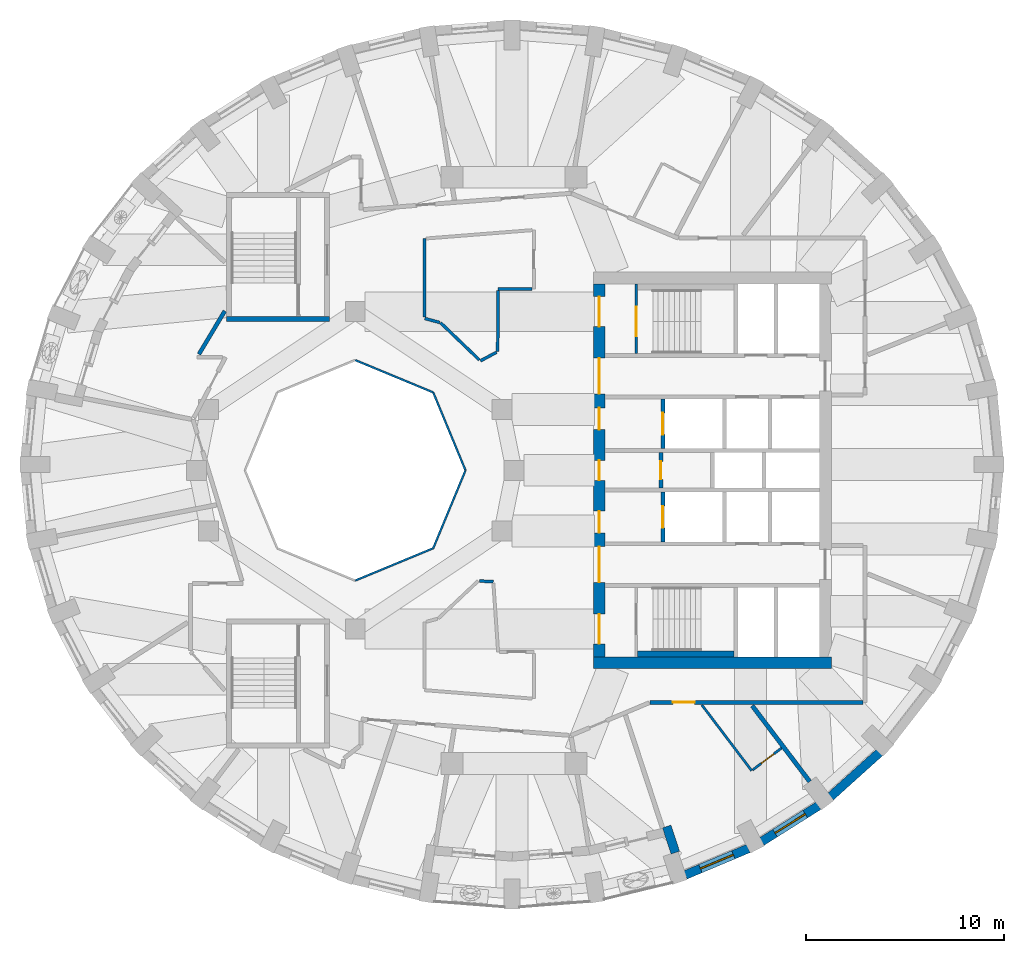
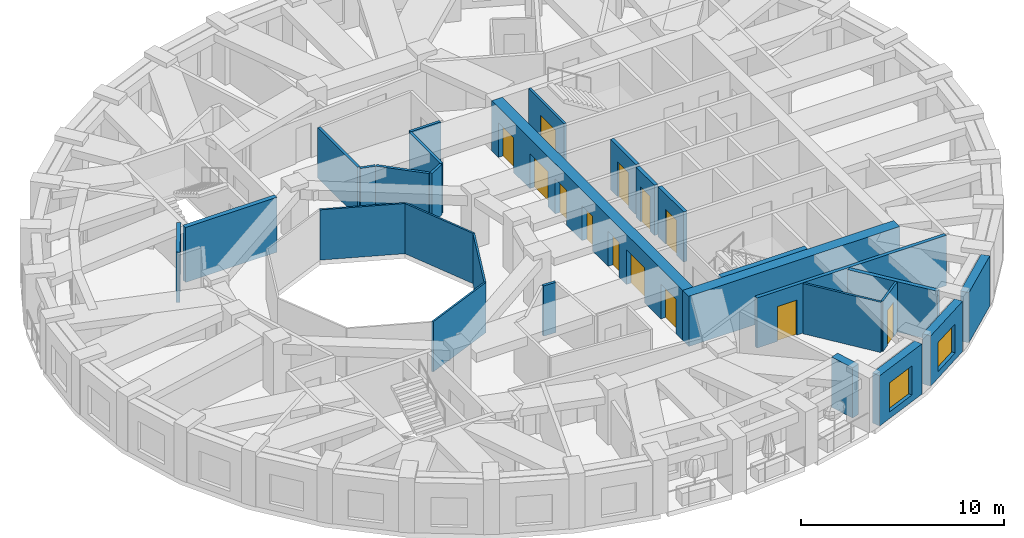
# One storey, part 5 of 12: 28 walls, 13 doors, 2 windows, 15 openings.
"""IFC4 building model written with IfcOpenShell, lengths in metres."""

from ifc_helpers import new_model, si_unit, direction, frame, frame_2d, origin, place, context, subcontext, project, spatial, rectangle, extrude, material, layer, layer_set, type_object, element, fill, save


model = new_model("IFC4")

# Units and contexts
model_context = context("Model", 3, precision=1e-05, world=origin(), true_north=direction((0.0, 1.0)))
body_context = subcontext(model_context, "Body", "Model", "MODEL_VIEW")
ifc_project = project(units=[si_unit("LENGTHUNIT", "METRE"), si_unit("AREAUNIT", "SQUARE_METRE"), si_unit("VOLUMEUNIT", "CUBIC_METRE"), si_unit("PLANEANGLEUNIT", "RADIAN"), si_unit("MASSUNIT", "GRAM", prefix="KILO")], contexts=[model_context])

# Site, building, storey
site_placement = place(None, origin())
site = spatial("IfcSite", under=ifc_project, at=site_placement, CompositionType="ELEMENT")
building_placement = place(site_placement, origin())
building = spatial("IfcBuilding", under=site, at=building_placement, Name="Taillehof Tower", CompositionType="ELEMENT")
storey_placement = place(building_placement, frame((0.0, 0.0, 249.800048828125)))
storey = spatial("IfcBuildingStorey", under=building, at=storey_placement, Name="L71", CompositionType="ELEMENT", Elevation=249.800048828125)

# Walls
ifc_material_1 = material(Name="Fire-resisting glass in steel frame", Category="steel")
ifc_layer_1 = layer(ifc_material_1, 0.10009765625)
ifc_layer_set_1 = layer_set([ifc_layer_1], Name="Atrium fire-resisting screen EI 60 100")
wall_type_1 = type_object("IfcWallType", Name="Atrium fire-resisting screen EI 60 100", PredefinedType="PARTITIONING", material=ifc_layer_set_1)
for number, where, z_axis, x_axis, name in (
    (1, (-2.44580078125, 0.0, 0.0), (0.0, 0.0, 1.0), (-0.382730523909, -0.923860025149, 0.0), "Atrium screen"),
    (2, (-4.07275390625, -3.92724609375, 0.0), (0.0, 0.0, 1.0), (-0.923860025149, -0.382730523909, 0.0), "Atrium screen"),
    (3, (-8.0, 5.55419921875, 0.0), (0.0, 0.0, 1.0), (0.923860025149, -0.382730523909, 0.0), "Atrium screen"),
    (4, (-4.07275390625, 3.92724609375, 0.0), (0.0, 0.0, 1.0), (0.382730523909, -0.923860025149, 0.0), "Atrium screen"),
):
    element("IfcWall", number, at=place(storey_placement, frame(where, z_axis=z_axis, x_axis=x_axis)), inside=storey, type_object=wall_type_1, Name=name, PredefinedType="PARTITIONING", context=body_context, shape_type="SweptSolid", body=[
        extrude(rectangle(XDim=4.2509765625, YDim=0.10009765625, at=frame_2d((2.12548828125, 0.0))), origin(), (0.0, 0.0, 1.0), 3.02001953125),
    ])

# Wall, opening, window
ifc_material_2 = material(Name="Brick masonry", Category="masonry")
ifc_layer_2 = layer(ifc_material_2, 0.449951171875)
ifc_layer_set_2 = layer_set([ifc_layer_2], Name="Brick infill wall 450")
wall_type_2 = type_object("IfcWallType", Name="Brick infill wall 450", PredefinedType="SOLIDWALL", material=ifc_layer_set_2)
wall_1_placement = place(storey_placement, frame((8.640869140625, -20.394775390625, 0.0), z_axis=(0.0, 0.0, 1.0), x_axis=(0.922049934692, 0.3870709469, 0.0)))
wall_1 = element("IfcWall", 5, at=wall_1_placement, inside=storey, type_object=wall_type_2, Name="Brick wall L71 bay 30", PredefinedType="SOLIDWALL", context=body_context, shape_type="SweptSolid", body=[
    extrude(rectangle(XDim=3.443115234375, YDim=0.449951171875, at=frame_2d((1.7216796875, 0.0))), origin(), (0.0, 0.0, 1.0), 3.02001953125),
])
opening_1_placement = place(wall_1_placement, frame((0.82177734375, 0.0, 0.39990234375)))
opening_1 = element("IfcOpeningElement", 6, at=opening_1_placement, cuts=wall_1, Name="Opening W4", PredefinedType="OPENING", context=body_context, shape_type="SweptSolid", body=[
    extrude(rectangle(XDim=1.800048828125, YDim=1.75, at=frame_2d((0.89990234375, 0.875))), frame((0.0, 0.23486328125, 0.0), z_axis=(0.0, -1.0, 0.0), x_axis=(1.0, 0.0, 0.0)), (0.0, 0.0, 1.0), 0.469970703125),
])
ifc_material_3 = material(Name="Aluminium window frame with clear double glazing", Category="aluminium")
window_type = type_object("IfcWindowType", Name="Deep-set window 1800x1750", PartitioningType="SINGLE_PANEL", PredefinedType="WINDOW", material=ifc_material_3)
window_1_placement = place(opening_1_placement, origin())
window_1 = element("IfcWindow", 7, at=window_1_placement, inside=storey, type_object=window_type, Name="W4", OverallHeight=1.75, OverallWidth=1.800048828125, PartitioningType="SINGLE_PANEL", PredefinedType="WINDOW", context=body_context, shape_type="SweptSolid", body=[
    extrude(rectangle(XDim=1.800048828125, YDim=1.75, at=frame_2d((0.89990234375, 0.875))), frame((0.0, 0.034912109375, 0.0), z_axis=(0.0, -1.0, 0.0), x_axis=(1.0, 0.0, 0.0)), (0.0, 0.0, 1.0), 0.06005859375),
])
fill(opening_1, window_1)

wall_2_placement = place(storey_placement, frame((12.489990234375, -18.7109375, 0.0), z_axis=(0.0, 0.0, 1.0), x_axis=(0.845929139811, 0.53329531258, 0.0)))
wall_2 = element("IfcWall", 8, at=wall_2_placement, inside=storey, type_object=wall_type_2, Name="Brick wall L71 bay 31", PredefinedType="SOLIDWALL", context=body_context, shape_type="SweptSolid", body=[
    extrude(rectangle(XDim=3.384521484375, YDim=0.449951171875, at=frame_2d((1.6923828125, 0.0))), origin(), (0.0, 0.0, 1.0), 3.02001953125),
])
opening_2_placement = place(wall_2_placement, frame((0.792236328125, 0.0, 0.39990234375)))
opening_2 = element("IfcOpeningElement", 9, at=opening_2_placement, cuts=wall_2, Name="Opening W4", PredefinedType="OPENING", context=body_context, shape_type="SweptSolid", body=[
    extrude(rectangle(XDim=1.800048828125, YDim=1.75, at=frame_2d((0.89990234375, 0.875))), frame((0.0, 0.23486328125, 0.0), z_axis=(0.0, -1.0, 0.0), x_axis=(1.0, 0.0, 0.0)), (0.0, 0.0, 1.0), 0.469970703125),
])
window_2_placement = place(opening_2_placement, origin())
window_2 = element("IfcWindow", 10, at=window_2_placement, inside=storey, type_object=window_type, Name="W4", OverallHeight=1.75, OverallWidth=1.800048828125, PartitioningType="SINGLE_PANEL", PredefinedType="WINDOW", context=body_context, shape_type="SweptSolid", body=[
    extrude(rectangle(XDim=1.800048828125, YDim=1.75, at=frame_2d((0.89990234375, 0.875))), frame((0.0, 0.034912109375, 0.0), z_axis=(0.0, -1.0, 0.0), x_axis=(1.0, 0.0, 0.0)), (0.0, 0.0, 1.0), 0.06005859375),
])
fill(opening_2, window_2)

# Walls
wall_3_placement = place(storey_placement, frame((15.959228515625, -16.447509765625, 0.0), z_axis=(0.0, 0.0, 1.0), x_axis=(0.743166014219, 0.669107073128, 0.0)))
element("IfcWall", 11, at=wall_3_placement, inside=storey, type_object=wall_type_2, Name="Brick wall L71 bay 32", PredefinedType="SOLIDWALL", context=body_context, shape_type="SweptSolid", body=[
    extrude(rectangle(XDim=3.31640625, YDim=0.449951171875, at=frame_2d((1.658203125, 0.0))), origin(), (0.0, 0.0, 1.0), 3.02001953125),
])
wall_4_placement = place(storey_placement, frame((8.1337890625, -19.273193359375, 0.0), z_axis=(0.0, 0.0, 1.0), x_axis=(-0.312379684595, 0.949957332017, 0.0)))
element("IfcWall", 12, at=wall_4_placement, inside=storey, type_object=wall_type_2, Name="Brick reveal L71 pocket 8", PredefinedType="SOLIDWALL", context=body_context, shape_type="SweptSolid", body=[
    extrude(rectangle(XDim=1.390380859375, YDim=0.449951171875, at=frame_2d((0.6953125, 0.0))), origin(), (0.0, 0.0, 1.0), 3.02001953125),
])

# Wall, opening, door
ifc_material_4 = material(Name="Calcium silicate masonry", Category="masonry")
ifc_layer_3 = layer(ifc_material_4, 0.199951171875)
ifc_layer_set_3 = layer_set([ifc_layer_3], Name="Compartment wall calcium silicate 200")
wall_type_3 = type_object("IfcWallType", Name="Compartment wall calcium silicate 200", PredefinedType="PARTITIONING", material=ifc_layer_set_3)
wall_5_placement = place(storey_placement, frame((7.39990234375, -0.89990234375, 0.0), z_axis=(0.0, 0.0, 1.0), x_axis=(0.0, 1.0, 0.0)))
wall_5 = element("IfcWall", 13, at=wall_5_placement, inside=storey, type_object=wall_type_3, Name="Compartment wall FW", PredefinedType="PARTITIONING", context=body_context, shape_type="SweptSolid", body=[
    extrude(rectangle(XDim=1.7998046875, YDim=0.199951171875, at=frame_2d((0.89990234375, 0.0))), origin(), (0.0, 0.0, 1.0), 3.02001953125),
])
opening_3_placement = place(wall_5_placement, frame((0.449951171875, 0.0, 0.0)))
opening_3 = element("IfcOpeningElement", 14, at=opening_3_placement, cuts=wall_5, Name="Opening D7114", PredefinedType="OPENING", context=body_context, shape_type="SweptSolid", body=[
    extrude(rectangle(XDim=0.89990234375, YDim=2.10009765625, at=frame_2d((0.449951171875, 1.050048828125))), frame((0.0, 0.10986328125, 0.0), z_axis=(0.0, -1.0, 0.0), x_axis=(1.0, 0.0, 0.0)), (0.0, 0.0, 1.0), 0.219970703125),
])
ifc_material_5 = material(Name="Steel-faced fire door", Category="steel")
door_type_1 = type_object("IfcDoorType", Name="Riser and service room door 900x2100", OperationType="SINGLE_SWING_LEFT", PredefinedType="DOOR", material=ifc_material_5)
door_1_placement = place(opening_3_placement, origin())
door_1 = element("IfcDoor", 15, at=door_1_placement, inside=storey, type_object=door_type_1, Name="Door Ice And Pantry Room", OperationType="SINGLE_SWING_RIGHT", OverallHeight=2.10009765625, OverallWidth=0.89990234375, PredefinedType="DOOR", context=body_context, shape_type="SweptSolid", body=[
    extrude(rectangle(XDim=0.89990234375, YDim=2.10009765625, at=frame_2d((0.449951171875, 1.050048828125))), frame((0.0, 0.02490234375, 0.0), z_axis=(0.0, -1.0, 0.0), x_axis=(1.0, 0.0, 0.0)), (0.0, 0.0, 1.0), 0.050048828125),
])
fill(opening_3, door_1)

ifc_material_6 = material(Name="Gypsum board on steel studs, two layers each side", Category="steel")
ifc_layer_4 = layer(ifc_material_6, 0.199951171875)
ifc_layer_set_4 = layer_set([ifc_layer_4], Name="Compartment wall corridor 200")
wall_type_4 = type_object("IfcWallType", Name="Compartment wall corridor 200", PredefinedType="PARTITIONING", material=ifc_layer_set_4)
wall_6_placement = place(storey_placement, frame((17.599853515625, -11.699951171875, 0.0), z_axis=(0.0, 0.0, 1.0), x_axis=(-1.0, 0.0, 0.0)))
wall_6 = element("IfcWall", 16, at=wall_6_placement, inside=storey, type_object=wall_type_4, Name="Compartment wall", PredefinedType="PARTITIONING", context=body_context, shape_type="SweptSolid", body=[
    extrude(rectangle(XDim=10.7509765625, YDim=0.199951171875, at=frame_2d((5.37548828125, 0.0))), origin(), (0.0, 0.0, 1.0), 3.02001953125),
])
opening_4_placement = place(wall_6_placement, frame((8.493408203125, 0.0, 0.0)))
opening_4 = element("IfcOpeningElement", 17, at=opening_4_placement, cuts=wall_6, Name="Opening D7154", PredefinedType="OPENING", context=body_context, shape_type="SweptSolid", body=[
    extrude(rectangle(XDim=1.10009765625, YDim=2.10009765625, at=frame_2d((0.550048828125, 1.050048828125))), frame((0.0, 0.10986328125, 0.0), z_axis=(0.0, -1.0, 0.0), x_axis=(1.0, 0.0, 0.0)), (0.0, 0.0, 1.0), 0.219970703125),
])
ifc_material_7 = material(Name="Timber door leaf in steel frame", Category="steel")
door_type_2 = type_object("IfcDoorType", Name="Suite entrance door EI 30 1100 x 2100", OperationType="SINGLE_SWING_LEFT", PredefinedType="DOOR", material=ifc_material_7)
door_2_placement = place(opening_4_placement, origin())
door_2 = element("IfcDoor", 18, at=door_2_placement, inside=storey, type_object=door_type_2, Name="D7154", OperationType="SINGLE_SWING_LEFT", OverallHeight=2.10009765625, OverallWidth=1.10009765625, PredefinedType="DOOR", context=body_context, shape_type="SweptSolid", body=[
    extrude(rectangle(XDim=1.10009765625, YDim=2.10009765625, at=frame_2d((0.550048828125, 1.050048828125))), frame((0.0, 0.02490234375, 0.0), z_axis=(0.0, -1.0, 0.0), x_axis=(1.0, 0.0, 0.0)), (0.0, 0.0, 1.0), 0.050048828125),
])
fill(opening_4, door_2)

# Walls
wall_7_placement = place(storey_placement, frame((-15.8818359375, 5.853759765625, 0.0), z_axis=(0.0, 0.0, 1.0), x_axis=(0.514042598012, 0.857764657368, 0.0)))
element("IfcWall", 19, at=wall_7_placement, inside=storey, type_object=wall_type_4, Name="Compartment wall", PredefinedType="PARTITIONING", context=body_context, shape_type="SweptSolid", body=[
    extrude(rectangle(XDim=2.53564453125, YDim=0.199951171875, at=frame_2d((1.267822265625, 0.0))), origin(), (0.0, 0.0, 1.0), 3.02001953125),
])
ifc_material_8 = material(Name="Gypsum board on double steel studs with mineral wool", Category="steel")
ifc_layer_5 = layer(ifc_material_8, 0.219970703125)
ifc_layer_set_5 = layer_set([ifc_layer_5], Name="Compartment wall guest room 220")
wall_type_5 = type_object("IfcWallType", Name="Compartment wall guest room 220", PredefinedType="PARTITIONING", material=ifc_layer_set_5)
wall_8_placement = place(storey_placement, frame((14.906005859375, -15.687255859375, 0.0), z_axis=(0.0, 0.0, 1.0), x_axis=(-0.604046750172, 0.796948883936, 0.0)))
element("IfcWall", 20, at=wall_8_placement, inside=storey, type_object=wall_type_5, Name="Compartment wall", PredefinedType="PARTITIONING", context=body_context, shape_type="SweptSolid", body=[
    extrude(rectangle(XDim=4.7978515625, YDim=0.219970703125, at=frame_2d((2.39892578125, 0.0))), origin(), (0.0, 0.0, 1.0), 3.02001953125),
])
ifc_material_9 = material(Name="Calcium silicate masonry", Category="masonry")
ifc_layer_6 = layer(ifc_material_9, 0.300048828125)
ifc_layer_set_6 = layer_set([ifc_layer_6], Name="Compartment wall lining calcium silicate 300")
wall_type_6 = type_object("IfcWallType", Name="Compartment wall lining calcium silicate 300", PredefinedType="PARTITIONING", material=ifc_layer_set_6)
wall_9_placement = place(storey_placement, frame((6.219970703125, -9.25, 0.0), z_axis=(0.0, 0.0, 1.0), x_axis=(1.0, 0.0, 0.0)))
element("IfcWall", 21, at=wall_9_placement, inside=storey, type_object=wall_type_6, Name="Compartment wall FW", PredefinedType="PARTITIONING", context=body_context, shape_type="SweptSolid", body=[
    extrude(rectangle(XDim=4.880126953125, YDim=0.300048828125, at=frame_2d((2.43994140625, 0.0))), origin(), (0.0, 0.0, 1.0), 3.02001953125),
])
ifc_material_10 = material(Name="Gypsum board on steel studs, two layers each side", Category="steel")
ifc_layer_7 = layer(ifc_material_10, 0.14990234375)
ifc_layer_set_7 = layer_set([ifc_layer_7], Name="Compartment wall service room 150")
wall_type_7 = type_object("IfcWallType", Name="Compartment wall service room 150", PredefinedType="PARTITIONING", material=ifc_layer_set_7)
wall_10_placement = place(storey_placement, frame((0.919921875, 9.14990234375, 0.0), z_axis=(0.0, 0.0, 1.0), x_axis=(-1.0, 0.0, 0.0)))
element("IfcWall", 22, at=wall_10_placement, inside=storey, type_object=wall_type_7, Name="Compartment wall", PredefinedType="PARTITIONING", context=body_context, shape_type="SweptSolid", body=[
    extrude(rectangle(XDim=1.719970703125, YDim=0.14990234375, at=frame_2d((0.85986328125, 0.0))), origin(), (0.0, 0.0, 1.0), 3.02001953125),
])
wall_11_placement = place(storey_placement, frame((-0.801025390625, 9.06982421875, 0.0), z_axis=(0.0, 0.0, 1.0), x_axis=(-0.006879482938, -0.999976336077, 0.0)))
element("IfcWall", 23, at=wall_11_placement, inside=storey, type_object=wall_type_7, Name="Compartment wall", PredefinedType="PARTITIONING", context=body_context, shape_type="SweptSolid", body=[
    extrude(rectangle(XDim=3.08740234375, YDim=0.14990234375, at=frame_2d((1.543701171875, 0.0))), origin(), (0.0, 0.0, 1.0), 3.02001953125),
])
wall_12_placement = place(storey_placement, frame((-0.875, 5.953857421875, 0.0), z_axis=(0.0, 0.0, 1.0), x_axis=(-0.882018256262, -0.471215232798, 0.0)))
element("IfcWall", 24, at=wall_12_placement, inside=storey, type_object=wall_type_7, Name="Compartment wall", PredefinedType="PARTITIONING", context=body_context, shape_type="SweptSolid", body=[
    extrude(rectangle(XDim=0.929443359375, YDim=0.14990234375, at=frame_2d((0.46484375, 0.0))), origin(), (0.0, 0.0, 1.0), 3.02001953125),
])
wall_13_placement = place(storey_placement, frame((-1.75244140625, 5.571533203125, 0.0), z_axis=(0.0, 0.0, 1.0), x_axis=(-0.721943077846, 0.691952449487, 0.0)))
element("IfcWall", 25, at=wall_13_placement, inside=storey, type_object=wall_type_7, Name="Compartment wall", PredefinedType="PARTITIONING", context=body_context, shape_type="SweptSolid", body=[
    extrude(rectangle(XDim=2.70263671875, YDim=0.14990234375, at=frame_2d((1.351318359375, 0.0))), origin(), (0.0, 0.0, 1.0), 3.02001953125),
])
wall_14_placement = place(storey_placement, frame((-3.7421875, 7.451904296875, 0.0), z_axis=(0.0, 0.0, 1.0), x_axis=(-0.965903596155, 0.258901994846, 0.0)))
element("IfcWall", 26, at=wall_14_placement, inside=storey, type_object=wall_type_7, Name="Compartment wall", PredefinedType="PARTITIONING", context=body_context, shape_type="SweptSolid", body=[
    extrude(rectangle(XDim=0.78466796875, YDim=0.14990234375, at=frame_2d((0.392333984375, 0.0))), origin(), (0.0, 0.0, 1.0), 3.02001953125),
])
wall_15_placement = place(storey_placement, frame((-4.5, 7.735107421875, 0.0), z_axis=(0.0, 0.0, 1.0), x_axis=(0.0, 1.0, 0.0)))
element("IfcWall", 27, at=wall_15_placement, inside=storey, type_object=wall_type_7, Name="Compartment wall", PredefinedType="PARTITIONING", context=body_context, shape_type="SweptSolid", body=[
    extrude(rectangle(XDim=3.946044921875, YDim=0.14990234375, at=frame_2d((1.97314453125, 0.0))), origin(), (0.0, 0.0, 1.0), 3.02001953125),
])
wall_16_placement = place(storey_placement, frame((-1.74560546875, -5.578125, 0.0), z_axis=(0.0, 0.0, 1.0), x_axis=(0.998798699726, -0.049001606354, 0.0)))
element("IfcWall", 28, at=wall_16_placement, inside=storey, type_object=wall_type_7, Name="Compartment wall", PredefinedType="PARTITIONING", context=body_context, shape_type="SweptSolid", body=[
    extrude(rectangle(XDim=0.702392578125, YDim=0.14990234375, at=frame_2d((0.35107421875, 0.0))), origin(), (0.0, 0.0, 1.0), 3.02001953125),
])

# Wall, openings, doors
ifc_material_11 = material(Name="Concrete C80/95", Category="concrete")
ifc_layer_8 = layer(ifc_material_11, 0.60009765625)
ifc_layer_set_8 = layer_set([ifc_layer_8], Name="Core wall C80/95 600")
wall_type_8 = type_object("IfcWallType", Name="Core wall C80/95 600", PredefinedType="SHEAR", material=ifc_layer_set_8)
wall_17_placement = place(storey_placement, frame((4.300048828125, -9.39990234375, 0.0), z_axis=(0.0, 0.0, 1.0), x_axis=(0.0, 1.0, 0.0)))
wall_17 = element("IfcWall", 29, at=wall_17_placement, inside=storey, type_object=wall_type_8, Name="Core wall CW01", PredefinedType="SHEAR", context=body_context, shape_type="SweptSolid", body=[
    extrude(rectangle(XDim=18.7998046875, YDim=0.60009765625, at=frame_2d((9.39990234375, 0.0))), origin(), (0.0, 0.0, 1.0), 3.02001953125),
])
opening_5_placement = place(wall_17_placement, frame((0.64990234375, 0.0, 0.0)))
opening_5 = element("IfcOpeningElement", 30, at=opening_5_placement, cuts=wall_17, Name="Opening D7101", PredefinedType="OPENING", context=body_context, shape_type="SweptSolid", body=[
    extrude(rectangle(XDim=1.5, YDim=2.10009765625, at=frame_2d((0.75, 1.050048828125))), frame((0.0, 0.31005859375, 0.0), z_axis=(0.0, -1.0, 0.0), x_axis=(1.0, 0.0, 0.0)), (0.0, 0.0, 1.0), 0.6201171875),
])
opening_6_placement = place(wall_17_placement, frame((3.75, 0.0, 0.0)))
opening_6 = element("IfcOpeningElement", 31, at=opening_6_placement, cuts=wall_17, Name="Opening D7102", PredefinedType="OPENING", context=body_context, shape_type="SweptSolid", body=[
    extrude(rectangle(XDim=1.800048828125, YDim=2.10009765625, at=frame_2d((0.89990234375, 1.050048828125))), frame((0.0, 0.31005859375, 0.0), z_axis=(0.0, -1.0, 0.0), x_axis=(1.0, 0.0, 0.0)), (0.0, 0.0, 1.0), 0.6201171875),
])
opening_7_placement = place(wall_17_placement, frame((6.25, 0.0, 0.0)))
opening_7 = element("IfcOpeningElement", 32, at=opening_7_placement, cuts=wall_17, Name="Opening D7103", PredefinedType="OPENING", context=body_context, shape_type="SweptSolid", body=[
    extrude(rectangle(XDim=1.10009765625, YDim=2.10009765625, at=frame_2d((0.550048828125, 1.050048828125))), frame((0.0, 0.31005859375, 0.0), z_axis=(0.0, -1.0, 0.0), x_axis=(1.0, 0.0, 0.0)), (0.0, 0.0, 1.0), 0.6201171875),
])
opening_8_placement = place(wall_17_placement, frame((8.89990234375, 0.0, 0.0)))
opening_8 = element("IfcOpeningElement", 33, at=opening_8_placement, cuts=wall_17, Name="Opening D7104", PredefinedType="OPENING", context=body_context, shape_type="SweptSolid", body=[
    extrude(rectangle(XDim=1.0, YDim=2.10009765625, at=frame_2d((0.5, 1.050048828125))), frame((0.0, 0.31005859375, 0.0), z_axis=(0.0, -1.0, 0.0), x_axis=(1.0, 0.0, 0.0)), (0.0, 0.0, 1.0), 0.6201171875),
])
opening_9_placement = place(wall_17_placement, frame((11.449951171875, 0.0, 0.0)))
opening_9 = element("IfcOpeningElement", 34, at=opening_9_placement, cuts=wall_17, Name="Opening D7105", PredefinedType="OPENING", context=body_context, shape_type="SweptSolid", body=[
    extrude(rectangle(XDim=1.10009765625, YDim=2.10009765625, at=frame_2d((0.550048828125, 1.050048828125))), frame((0.0, 0.31005859375, 0.0), z_axis=(0.0, -1.0, 0.0), x_axis=(1.0, 0.0, 0.0)), (0.0, 0.0, 1.0), 0.6201171875),
])
opening_10_placement = place(wall_17_placement, frame((13.25, 0.0, 0.0)))
opening_10 = element("IfcOpeningElement", 35, at=opening_10_placement, cuts=wall_17, Name="Opening D7106", PredefinedType="OPENING", context=body_context, shape_type="SweptSolid", body=[
    extrude(rectangle(XDim=1.800048828125, YDim=2.10009765625, at=frame_2d((0.89990234375, 1.050048828125))), frame((0.0, 0.31005859375, 0.0), z_axis=(0.0, -1.0, 0.0), x_axis=(1.0, 0.0, 0.0)), (0.0, 0.0, 1.0), 0.6201171875),
])
opening_11_placement = place(wall_17_placement, frame((16.64990234375, 0.0, 0.0)))
opening_11 = element("IfcOpeningElement", 36, at=opening_11_placement, cuts=wall_17, Name="Opening D7107", PredefinedType="OPENING", context=body_context, shape_type="SweptSolid", body=[
    extrude(rectangle(XDim=1.5, YDim=2.10009765625, at=frame_2d((0.75, 1.050048828125))), frame((0.0, 0.31005859375, 0.0), z_axis=(0.0, -1.0, 0.0), x_axis=(1.0, 0.0, 0.0)), (0.0, 0.0, 1.0), 0.6201171875),
])
ifc_material_12 = material(Name="Steel-faced fire door", Category="steel")
door_type_3 = type_object("IfcDoorType", Name="Firefighting lobby door 1100x2100", OperationType="SINGLE_SWING_RIGHT", PredefinedType="DOOR", material=ifc_material_12)
door_3_placement = place(opening_7_placement, origin())
door_3 = element("IfcDoor", 37, at=door_3_placement, inside=storey, type_object=door_type_3, Name="Firefighting lobby door FFL-S", OperationType="SINGLE_SWING_RIGHT", OverallHeight=2.10009765625, OverallWidth=1.10009765625, PredefinedType="DOOR", context=body_context, shape_type="SweptSolid", body=[
    extrude(rectangle(XDim=1.10009765625, YDim=2.10009765625, at=frame_2d((0.550048828125, 1.050048828125))), frame((0.0, 0.02490234375, 0.0), z_axis=(0.0, -1.0, 0.0), x_axis=(1.0, 0.0, 0.0)), (0.0, 0.0, 1.0), 0.050048828125),
])
fill(opening_7, door_3)
door_4_placement = place(opening_9_placement, origin())
door_4 = element("IfcDoor", 38, at=door_4_placement, inside=storey, type_object=door_type_3, Name="Firefighting lobby door FFL-N", OperationType="SINGLE_SWING_LEFT", OverallHeight=2.10009765625, OverallWidth=1.10009765625, PredefinedType="DOOR", context=body_context, shape_type="SweptSolid", body=[
    extrude(rectangle(XDim=1.10009765625, YDim=2.10009765625, at=frame_2d((0.550048828125, 1.050048828125))), frame((0.0, 0.02490234375, 0.0), z_axis=(0.0, -1.0, 0.0), x_axis=(1.0, 0.0, 0.0)), (0.0, 0.0, 1.0), 0.050048828125),
])
fill(opening_9, door_4)
ifc_material_13 = material(Name="Steel-faced fire door", Category="steel")
door_type_4 = type_object("IfcDoorType", Name="Lift lobby door 1800x2100", OperationType="DOUBLE_DOOR_SINGLE_SWING", PredefinedType="DOOR", material=ifc_material_13)
door_5_placement = place(opening_6_placement, origin())
door_5 = element("IfcDoor", 39, at=door_5_placement, inside=storey, type_object=door_type_4, Name="Lift lobby door LL-S", OperationType="DOUBLE_DOOR_SINGLE_SWING", OverallHeight=2.10009765625, OverallWidth=1.800048828125, PredefinedType="DOOR", context=body_context, shape_type="SweptSolid", body=[
    extrude(rectangle(XDim=1.800048828125, YDim=2.10009765625, at=frame_2d((0.89990234375, 1.050048828125))), frame((0.0, 0.02490234375, 0.0), z_axis=(0.0, -1.0, 0.0), x_axis=(1.0, 0.0, 0.0)), (0.0, 0.0, 1.0), 0.050048828125),
])
fill(opening_6, door_5)
door_6_placement = place(opening_10_placement, origin())
door_6 = element("IfcDoor", 40, at=door_6_placement, inside=storey, type_object=door_type_4, Name="Lift lobby door LL-N", OperationType="DOUBLE_DOOR_SINGLE_SWING", OverallHeight=2.10009765625, OverallWidth=1.800048828125, PredefinedType="DOOR", context=body_context, shape_type="SweptSolid", body=[
    extrude(rectangle(XDim=1.800048828125, YDim=2.10009765625, at=frame_2d((0.89990234375, 1.050048828125))), frame((0.0, 0.02490234375, 0.0), z_axis=(0.0, -1.0, 0.0), x_axis=(1.0, 0.0, 0.0)), (0.0, 0.0, 1.0), 0.050048828125),
])
fill(opening_10, door_6)
ifc_material_14 = material(Name="Steel-faced fire door", Category="steel")
door_type_5 = type_object("IfcDoorType", Name="Service door 1000x2100", OperationType="SINGLE_SWING_RIGHT", PredefinedType="DOOR", material=ifc_material_14)
door_7_placement = place(opening_8_placement, origin())
door_7 = element("IfcDoor", 41, at=door_7_placement, inside=storey, type_object=door_type_5, Name="Service door SV", OperationType="SINGLE_SWING_RIGHT", OverallHeight=2.10009765625, OverallWidth=1.0, PredefinedType="DOOR", context=body_context, shape_type="SweptSolid", body=[
    extrude(rectangle(XDim=1.0, YDim=2.10009765625, at=frame_2d((0.5, 1.050048828125))), frame((0.0, 0.02490234375, 0.0), z_axis=(0.0, -1.0, 0.0), x_axis=(1.0, 0.0, 0.0)), (0.0, 0.0, 1.0), 0.050048828125),
])
fill(opening_8, door_7)
ifc_material_15 = material(Name="Steel-faced fire door", Category="steel")
door_type_6 = type_object("IfcDoorType", Name="Stair door 1500x2100", OperationType="DOUBLE_DOOR_SINGLE_SWING", PredefinedType="DOOR", material=ifc_material_15)
door_8_placement = place(opening_5_placement, origin())
door_8 = element("IfcDoor", 42, at=door_8_placement, inside=storey, type_object=door_type_6, Name="Stair door S2", OperationType="DOUBLE_DOOR_SINGLE_SWING", OverallHeight=2.10009765625, OverallWidth=1.5, PredefinedType="DOOR", context=body_context, shape_type="SweptSolid", body=[
    extrude(rectangle(XDim=1.5, YDim=2.10009765625, at=frame_2d((0.75, 1.050048828125))), frame((0.0, 0.02490234375, 0.0), z_axis=(0.0, -1.0, 0.0), x_axis=(1.0, 0.0, 0.0)), (0.0, 0.0, 1.0), 0.050048828125),
])
fill(opening_5, door_8)
door_9_placement = place(opening_11_placement, origin())
door_9 = element("IfcDoor", 43, at=door_9_placement, inside=storey, type_object=door_type_6, Name="Stair door S1", OperationType="DOUBLE_DOOR_SINGLE_SWING", OverallHeight=2.10009765625, OverallWidth=1.5, PredefinedType="DOOR", context=body_context, shape_type="SweptSolid", body=[
    extrude(rectangle(XDim=1.5, YDim=2.10009765625, at=frame_2d((0.75, 1.050048828125))), frame((0.0, 0.02490234375, 0.0), z_axis=(0.0, -1.0, 0.0), x_axis=(1.0, 0.0, 0.0)), (0.0, 0.0, 1.0), 0.050048828125),
])
fill(opening_11, door_9)

# Walls
wall_18_placement = place(storey_placement, frame((4.0, -9.699951171875, 0.0), z_axis=(0.0, 0.0, 1.0), x_axis=(1.0, 0.0, 0.0)))
element("IfcWall", 44, at=wall_18_placement, inside=storey, type_object=wall_type_8, Name="Core wall CW07", PredefinedType="SHEAR", context=body_context, shape_type="SweptSolid", body=[
    extrude(rectangle(XDim=12.0, YDim=0.60009765625, at=frame_2d((6.0, 0.0))), origin(), (0.0, 0.0, 1.0), 3.02001953125),
])
ifc_material_16 = material(Name="Gypsum board on steel studs, moisture resistant", Category="steel")
ifc_layer_9 = layer(ifc_material_16, 0.1201171875)
ifc_layer_set_9 = layer_set([ifc_layer_9], Name="En-suite wall 120")
wall_type_9 = type_object("IfcWallType", Name="En-suite wall 120", PredefinedType="PARTITIONING", material=ifc_layer_set_9)
wall_19_placement = place(storey_placement, frame((9.474365234375, -11.831787109375, 0.0), z_axis=(0.0, 0.0, 1.0), x_axis=(0.604029811985, -0.796961721938, 0.0)))
element("IfcWall", 45, at=wall_19_placement, inside=storey, type_object=wall_type_9, Name="En-suite wall", PredefinedType="PARTITIONING", context=body_context, shape_type="SweptSolid", body=[
    extrude(rectangle(XDim=4.150634765625, YDim=0.1201171875, at=frame_2d((2.0751953125, 0.0))), origin(), (0.0, 0.0, 1.0), 3.02001953125),
])

# Wall, opening, door
wall_20_placement = place(storey_placement, frame((12.029296875, -15.103515625, 0.0), z_axis=(0.0, 0.0, 1.0), x_axis=(0.796883918959, 0.60413245212, 0.0)))
wall_20 = element("IfcWall", 46, at=wall_20_placement, inside=storey, type_object=wall_type_9, Name="En-suite wall", PredefinedType="PARTITIONING", context=body_context, shape_type="SweptSolid", body=[
    extrude(rectangle(XDim=1.830322265625, YDim=0.1201171875, at=frame_2d((0.9150390625, 0.0))), origin(), (0.0, 0.0, 1.0), 3.02001953125),
])
opening_12_placement = place(wall_20_placement, frame((0.5400390625, 0.0, 0.0)))
opening_12 = element("IfcOpeningElement", 47, at=opening_12_placement, cuts=wall_20, Name="Opening D7155", PredefinedType="OPENING", context=body_context, shape_type="SweptSolid", body=[
    extrude(rectangle(XDim=0.800048828125, YDim=2.10009765625, at=frame_2d((0.39990234375, 1.050048828125))), frame((0.0, 0.070068359375, 0.0), z_axis=(0.0, -1.0, 0.0), x_axis=(1.0, 0.0, 0.0)), (0.0, 0.0, 1.0), 0.14013671875),
])
ifc_material_17 = material(Name="Timber door leaf in steel frame", Category="steel")
door_type_7 = type_object("IfcDoorType", Name="En-suite door 800 x 2100", OperationType="SINGLE_SWING_LEFT", PredefinedType="DOOR", material=ifc_material_17)
door_10_placement = place(opening_12_placement, origin())
door_10 = element("IfcDoor", 48, at=door_10_placement, inside=storey, type_object=door_type_7, Name="D7155", OperationType="SINGLE_SWING_LEFT", OverallHeight=2.10009765625, OverallWidth=0.800048828125, PredefinedType="DOOR", context=body_context, shape_type="SweptSolid", body=[
    extrude(rectangle(XDim=0.800048828125, YDim=2.10009765625, at=frame_2d((0.39990234375, 1.050048828125))), frame((0.0, 0.02490234375, 0.0), z_axis=(0.0, -1.0, 0.0), x_axis=(1.0, 0.0, 0.0)), (0.0, 0.0, 1.0), 0.050048828125),
])
fill(opening_12, door_10)

ifc_material_18 = material(Name="Concrete C50/60", Category="concrete")
ifc_layer_10 = layer(ifc_material_18, 0.199951171875)
ifc_layer_set_10 = layer_set([ifc_layer_10], Name="Shaft wall C50/60 200")
wall_type_10 = type_object("IfcWallType", Name="Shaft wall C50/60 200", PredefinedType="SHEAR", material=ifc_layer_set_10)
wall_21_placement = place(storey_placement, frame((7.5, 1.10009765625, 0.0), z_axis=(0.0, 0.0, 1.0), x_axis=(0.0, 1.0, 0.0)))
wall_21 = element("IfcWall", 49, at=wall_21_placement, inside=storey, type_object=wall_type_10, Name="Shaft wall SW", PredefinedType="SHEAR", context=body_context, shape_type="SweptSolid", body=[
    extrude(rectangle(XDim=2.5, YDim=0.199951171875, at=frame_2d((1.25, 0.0))), origin(), (0.0, 0.0, 1.0), 3.02001953125),
])
opening_13_placement = place(wall_21_placement, frame((0.699951171875, 0.0, 0.0)))
opening_13 = element("IfcOpeningElement", 50, at=opening_13_placement, cuts=wall_21, Name="Opening LD1", PredefinedType="OPENING", context=body_context, shape_type="SweptSolid", body=[
    extrude(rectangle(XDim=1.10009765625, YDim=2.10009765625, at=frame_2d((0.550048828125, 1.050048828125))), frame((0.0, 0.10986328125, 0.0), z_axis=(0.0, -1.0, 0.0), x_axis=(1.0, 0.0, 0.0)), (0.0, 0.0, 1.0), 0.219970703125),
])
ifc_material_19 = material(Name="Stainless steel", Category="steel")
door_type_8 = type_object("IfcDoorType", Name="Lift landing door LD1 1100x2100", OperationType="DOUBLE_DOOR_SLIDING", PredefinedType="DOOR", material=ifc_material_19)
door_11_placement = place(opening_13_placement, origin())
door_11 = element("IfcDoor", 51, at=door_11_placement, inside=storey, type_object=door_type_8, Name="Landing door FF1", OperationType="DOUBLE_DOOR_SLIDING", OverallHeight=2.10009765625, OverallWidth=1.10009765625, PredefinedType="DOOR", context=body_context, shape_type="SweptSolid", body=[
    extrude(rectangle(XDim=1.10009765625, YDim=2.10009765625, at=frame_2d((0.550048828125, 1.050048828125))), frame((0.0, 0.02490234375, 0.0), z_axis=(0.0, -1.0, 0.0), x_axis=(1.0, 0.0, 0.0)), (0.0, 0.0, 1.0), 0.050048828125),
])
fill(opening_13, door_11)

wall_22_placement = place(storey_placement, frame((7.5, -3.60009765625, 0.0), z_axis=(0.0, 0.0, 1.0), x_axis=(0.0, 1.0, 0.0)))
wall_22 = element("IfcWall", 52, at=wall_22_placement, inside=storey, type_object=wall_type_10, Name="Shaft wall SW", PredefinedType="SHEAR", context=body_context, shape_type="SweptSolid", body=[
    extrude(rectangle(XDim=2.5, YDim=0.199951171875, at=frame_2d((1.25, 0.0))), origin(), (0.0, 0.0, 1.0), 3.02001953125),
])
opening_14_placement = place(wall_22_placement, frame((0.699951171875, 0.0, 0.0)))
opening_14 = element("IfcOpeningElement", 53, at=opening_14_placement, cuts=wall_22, Name="Opening LD1", PredefinedType="OPENING", context=body_context, shape_type="SweptSolid", body=[
    extrude(rectangle(XDim=1.10009765625, YDim=2.10009765625, at=frame_2d((0.550048828125, 1.050048828125))), frame((0.0, 0.10986328125, 0.0), z_axis=(0.0, -1.0, 0.0), x_axis=(1.0, 0.0, 0.0)), (0.0, 0.0, 1.0), 0.219970703125),
])
door_12_placement = place(opening_14_placement, origin())
door_12 = element("IfcDoor", 54, at=door_12_placement, inside=storey, type_object=door_type_8, Name="Landing door FF2", OperationType="DOUBLE_DOOR_SLIDING", OverallHeight=2.10009765625, OverallWidth=1.10009765625, PredefinedType="DOOR", context=body_context, shape_type="SweptSolid", body=[
    extrude(rectangle(XDim=1.10009765625, YDim=2.10009765625, at=frame_2d((0.550048828125, 1.050048828125))), frame((0.0, 0.02490234375, 0.0), z_axis=(0.0, -1.0, 0.0), x_axis=(1.0, 0.0, 0.0)), (0.0, 0.0, 1.0), 0.050048828125),
])
fill(opening_14, door_12)

ifc_material_20 = material(Name="Concrete C50/60", Category="concrete")
ifc_layer_11 = layer(ifc_material_20, 0.1201171875)
ifc_layer_set_11 = layer_set([ifc_layer_11], Name="Stair lobby wall C50/60 120")
wall_type_11 = type_object("IfcWallType", Name="Stair lobby wall C50/60 120", PredefinedType="SHEAR", material=ifc_layer_set_11)
wall_23_placement = place(storey_placement, frame((6.159912109375, 5.89990234375, 0.0), z_axis=(0.0, 0.0, 1.0), x_axis=(0.0, 1.0, 0.0)))
wall_23 = element("IfcWall", 55, at=wall_23_placement, inside=storey, type_object=wall_type_11, Name="Compartment wall SW", PredefinedType="SHEAR", context=body_context, shape_type="SweptSolid", body=[
    extrude(rectangle(XDim=3.5, YDim=0.1201171875, at=frame_2d((1.75, 0.0))), origin(), (0.0, 0.0, 1.0), 3.02001953125),
])
opening_15_placement = place(wall_23_placement, frame((0.85009765625, 0.0, 0.0)))
opening_15 = element("IfcOpeningElement", 56, at=opening_15_placement, cuts=wall_23, Name="Opening D7110", PredefinedType="OPENING", context=body_context, shape_type="SweptSolid", body=[
    extrude(rectangle(XDim=1.5, YDim=2.10009765625, at=frame_2d((0.75, 1.050048828125))), frame((0.0, 0.070068359375, 0.0), z_axis=(0.0, -1.0, 0.0), x_axis=(1.0, 0.0, 0.0)), (0.0, 0.0, 1.0), 0.14013671875),
])
door_13_placement = place(opening_15_placement, origin())
door_13 = element("IfcDoor", 57, at=door_13_placement, inside=storey, type_object=door_type_6, Name="Stair lobby door S1", OperationType="DOUBLE_DOOR_SINGLE_SWING", OverallHeight=2.10009765625, OverallWidth=1.5, PredefinedType="DOOR", context=body_context, shape_type="SweptSolid", body=[
    extrude(rectangle(XDim=1.5, YDim=2.10009765625, at=frame_2d((0.75, 1.050048828125))), frame((0.0, 0.02490234375, 0.0), z_axis=(0.0, -1.0, 0.0), x_axis=(1.0, 0.0, 0.0)), (0.0, 0.0, 1.0), 0.050048828125),
])
fill(opening_15, door_13)

# Wall
ifc_material_21 = material(Name="Concrete C50/60", Category="concrete")
ifc_layer_12 = layer(ifc_material_21, 0.25)
ifc_layer_set_12 = layer_set([ifc_layer_12], Name="Stair wall C50/60 250")
wall_type_12 = type_object("IfcWallType", Name="Stair wall C50/60 250", PredefinedType="SHEAR", material=ifc_layer_set_12)
wall_24_placement = place(storey_placement, frame((-14.5, 7.625, -0.280029296875), z_axis=(0.0, 0.0, 1.0), x_axis=(1.0, 0.0, 0.0)))
element("IfcWall", 58, at=wall_24_placement, inside=storey, type_object=wall_type_12, Name="Stair wall SC", PredefinedType="SHEAR", context=body_context, shape_type="SweptSolid", body=[
    extrude(rectangle(XDim=5.199951171875, YDim=0.25, at=frame_2d((2.60009765625, 0.0))), origin(), (0.0, 0.0, 1.0), 3.300048828125),
])

save(model, "model.ifc")
